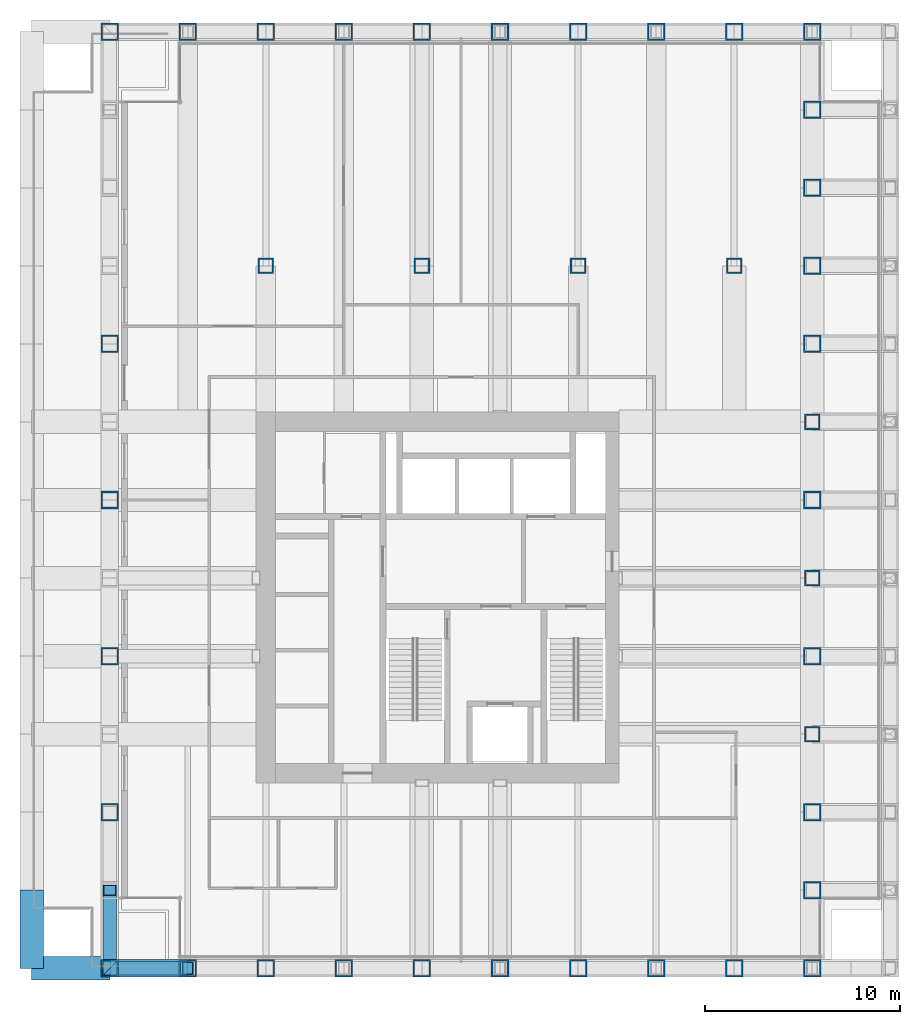
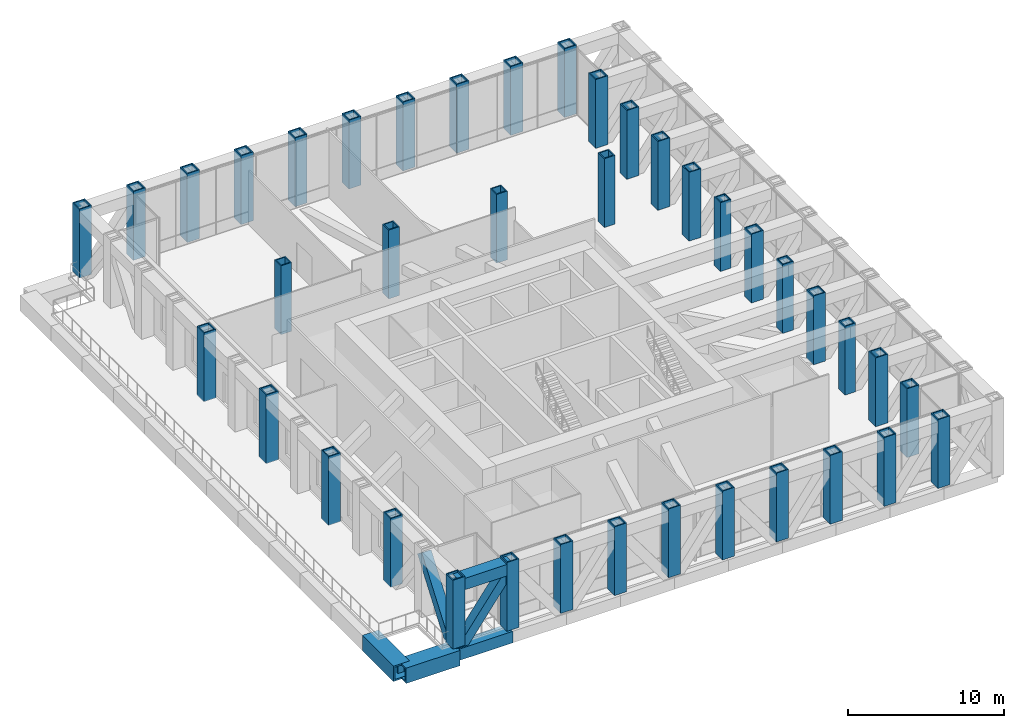
# One storey, part 1 of 12: 39 columns, 4 beams, 2 members.
"""IFC4 building model written with IfcOpenShell, lengths in metres."""

import ifcopenshell
import ifcopenshell.guid

model = None  # the IFC model being written
_history = None  # IfcOwnerHistory: only IFC2X3 demands one
_inside = {}  # id of a spatial element -> (the spatial element, [elements in it])
_under = {}  # id of a project, library or spatial element -> (it, [spatial elements below it])
_declared = {}  # id of a project -> (the project, [libraries it declares])
_typed = {}  # id of a type object -> (the type object, [elements of that type])
_made_of = {}  # id of a material, layer set ... -> (it, [elements and type objects made of it])


def new_model(schema):
    """Start an empty IFC model of exactly this schema.

    Asked for "IFC4X3", IfcOpenShell would pick the latest addendum, in which some entities
    have other attributes; the version numbers below select the first issue.
    IFC2X3 requires an IfcOwnerHistory on every rooted entity: one is made here for all.
    """
    global model, _history
    if schema == "IFC4X3":
        model = ifcopenshell.file(schema_version=(4, 3, 0, 0))
    else:
        model = ifcopenshell.file(schema=schema)
    _inside.clear()
    _under.clear()
    _declared.clear()
    _typed.clear()
    _made_of.clear()
    _history = None
    if model.schema == "IFC2X3":
        org = make("IfcOrganization", Name="unknown")
        user = make(
            "IfcPersonAndOrganization",
            ThePerson=make("IfcPerson", FamilyName="unknown"),
            TheOrganization=org,
        )
        app = make(
            "IfcApplication",
            ApplicationDeveloper=org,
            Version="unknown",
            ApplicationFullName="unknown",
            ApplicationIdentifier="unknown",
        )
        _history = make(
            "IfcOwnerHistory",
            OwningUser=user,
            OwningApplication=app,
            ChangeAction="ADDED",
            CreationDate=0,
        )
    return model


def make(cls, **values):
    """One entity of the class cls with the attributes given. An attribute that is None is left unset."""
    return model.create_entity(
        cls, **{name: value for name, value in values.items() if value is not None}
    )


def rooted(cls, **values):
    """An entity with a GlobalId (a new one), such as an element, a storey or a relation."""
    return make(cls, GlobalId=ifcopenshell.guid.new(), OwnerHistory=_history, **values)


def si_unit(unit_type, name, prefix=None):
    """IfcSIUnit, for example si_unit("LENGTHUNIT", "METRE", prefix="MILLI")."""
    return make("IfcSIUnit", UnitType=unit_type, Prefix=prefix, Name=name)


def assignment(units):
    """IfcUnitAssignment: the units of a project."""
    return None if units is None else make("IfcUnitAssignment", Units=units)


def point(xyz):
    """IfcCartesianPoint."""
    return None if xyz is None else make("IfcCartesianPoint", Coordinates=xyz)


def direction(xyz):
    """IfcDirection."""
    return None if xyz is None else make("IfcDirection", DirectionRatios=xyz)


def frame(location, z_axis=None, x_axis=None):
    """IfcAxis2Placement3D, a coordinate frame: its origin and axes. An axis left out is left unset."""
    return make(
        "IfcAxis2Placement3D",
        Location=point(location),
        Axis=direction(z_axis),
        RefDirection=direction(x_axis),
    )


def frame_2d(location, x_axis=None):
    """IfcAxis2Placement2D, a coordinate frame in the plane: its origin and x axis."""
    return make(
        "IfcAxis2Placement2D", Location=point(location), RefDirection=direction(x_axis)
    )


def origin():
    """The frame at (0, 0, 0) with its axes left unset."""
    return frame((0.0, 0.0, 0.0))


def origin_2d():
    """The frame at (0, 0) in the plane with its x axis left unset."""
    return frame_2d((0.0, 0.0))


def place(relative_to, where):
    """IfcLocalPlacement: puts the frame where relative to a parent placement (None: the world)."""
    return make(
        "IfcLocalPlacement", PlacementRelTo=relative_to, RelativePlacement=where
    )


def context(
    kind, dimensions, precision=None, world=None, true_north=None, identifier=None
):
    """IfcGeometricRepresentationContext, for example the 3D "Model" context."""
    return make(
        "IfcGeometricRepresentationContext",
        ContextIdentifier=identifier,
        ContextType=kind,
        CoordinateSpaceDimension=dimensions,
        Precision=precision,
        WorldCoordinateSystem=world,
        TrueNorth=true_north,
    )


def subcontext(parent, identifier, kind, view, scale=None):
    """IfcGeometricRepresentationSubContext, for example "Body" below "Model"."""
    return make(
        "IfcGeometricRepresentationSubContext",
        ContextIdentifier=identifier,
        ContextType=kind,
        ParentContext=parent,
        TargetScale=scale,
        TargetView=view,
    )


def project(units=None, contexts=None):
    """IfcProject with its units and contexts."""
    return rooted(
        "IfcProject",
        Name="project",
        RepresentationContexts=contexts,
        UnitsInContext=assignment(units),
    )


def spatial(cls, under=None, at=None, **own):
    """A site, building, storey or space (cls), placed at a placement, below another one or the project."""
    s = rooted(cls, ObjectPlacement=at, **own)
    if under is not None:
        _under.setdefault(under.id(), (under, []))[1].append(s)
    return s


def profile(cls, at=None, kind="AREA", **sizes):
    """A parametric profile (cls). Its sizes go by their IFC names, for example OverallWidth=200.0."""
    return make(cls, ProfileType=kind, Position=at, **sizes)


def hollow_rectangle(**sizes):
    """IfcRectangleHollowProfileDef."""
    return profile("IfcRectangleHollowProfileDef", **sizes)


def extrude(swept, where, along, depth):
    """IfcExtrudedAreaSolid: the profile swept, set in the frame where, extruded along a direction by depth."""
    return make(
        "IfcExtrudedAreaSolid",
        SweptArea=swept,
        Position=where,
        ExtrudedDirection=direction(along),
        Depth=depth,
    )


def shape(context_of_items, identifier, shape_type, items):
    """IfcShapeRepresentation: the items that make up one representation, for example the "Body"."""
    return make(
        "IfcShapeRepresentation",
        ContextOfItems=context_of_items,
        RepresentationIdentifier=identifier,
        RepresentationType=shape_type,
        Items=items,
    )


def material(Name=None, Category=None):
    """IfcMaterial."""
    return make("IfcMaterial", Name=Name, Category=Category)


def material_profile(
    of_material, cross_section, Name=None, Category=None, Priority=None
):
    """IfcMaterialProfile: a cross section and its material."""
    return make(
        "IfcMaterialProfile",
        Name=Name,
        Material=of_material,
        Profile=cross_section,
        Priority=Priority,
        Category=Category,
    )


def profile_set(profiles, Name=None, composite=None):
    """IfcMaterialProfileSet."""
    return make(
        "IfcMaterialProfileSet",
        Name=Name,
        MaterialProfiles=profiles,
        CompositeProfile=composite,
    )


def made_of(thing, what):
    """Note that an element or type object is made of a material, layer set ...; save() writes the relation."""
    if what is not None:
        _made_of.setdefault(what.id(), (what, []))[1].append(thing)
    return thing


def type_object(cls, material=None, **own):
    """A type object (cls), such as IfcWallType, which elements share."""
    return made_of(rooted(cls, **own), material)


def element(
    cls,
    number,
    at=None,
    inside=None,
    cuts=None,
    type_object=None,
    material=None,
    context=None,
    identifier="Body",
    shape_type=None,
    held_by="IfcProductDefinitionShape",
    body=None,
    shapes=None,
    **own,
):
    """One element of the class cls, such as IfcWall. Its Tag is "e" and its number.

    at: its placement. inside: the storey or other place that contains it. cuts: it is an
    opening in that element (IfcRelVoidsElement). A single representation is given by context,
    identifier, shape_type and body (its items); several are given by shapes. held_by: the class
    of the entity that holds the representations. save() writes the other relations.
    """
    e = rooted(cls, Tag="e%d" % number, ObjectPlacement=at, **own)
    if body is not None:
        shapes = [shape(context, identifier, shape_type, body)]
    if shapes is not None:
        e.Representation = make(held_by, Representations=shapes)
    if inside is not None:
        _inside.setdefault(inside.id(), (inside, []))[1].append(e)
    if cuts is not None:
        rooted(
            "IfcRelVoidsElement", RelatingBuildingElement=cuts, RelatedOpeningElement=e
        )
    if type_object is not None:
        _typed.setdefault(type_object.id(), (type_object, []))[1].append(e)
    return made_of(e, material)


def aggregate(whole, parts):
    """IfcRelAggregates: a whole, such as a stair, and the parts it consists of."""
    return rooted("IfcRelAggregates", RelatingObject=whole, RelatedObjects=parts)


def save(model, path):
    """Write the relations noted so far, then the file.

    IfcRelAggregates (storeys below a building ...), IfcRelContainedInSpatialStructure (elements
    in a storey), IfcRelDefinesByType, IfcRelAssociatesMaterial and IfcRelDeclares: one each for
    every whole, place, type object, material and project.
    """
    for whole, parts in _under.values():
        aggregate(whole, parts)
    for where, things in _inside.values():
        rooted(
            "IfcRelContainedInSpatialStructure",
            RelatedElements=things,
            RelatingStructure=where,
        )
    for kind, things in _typed.values():
        rooted("IfcRelDefinesByType", RelatedObjects=things, RelatingType=kind)
    for what, things in _made_of.values():
        rooted("IfcRelAssociatesMaterial", RelatedObjects=things, RelatingMaterial=what)
    for by, libraries in _declared.values():
        rooted("IfcRelDeclares", RelatingContext=by, RelatedDefinitions=libraries)
    model.write(path)


model = new_model("IFC4")

# Units and contexts
model_context = context("Model", 3, precision=1e-05, world=origin(), true_north=direction((0.0, 1.0)))
body_context = subcontext(model_context, "Body", "Model", "MODEL_VIEW")
ifc_project = project(units=[si_unit("LENGTHUNIT", "METRE"), si_unit("AREAUNIT", "SQUARE_METRE"), si_unit("VOLUMEUNIT", "CUBIC_METRE"), si_unit("PLANEANGLEUNIT", "RADIAN"), si_unit("MASSUNIT", "GRAM", prefix="KILO")], contexts=[model_context])

# Site, building, storey
site_placement = place(None, origin())
site = spatial("IfcSite", under=ifc_project, at=site_placement, CompositionType="ELEMENT")
building_placement = place(site_placement, origin())
building = spatial("IfcBuilding", under=site, at=building_placement, Name="Rimbunsela Tower", CompositionType="ELEMENT")
storey_placement = place(building_placement, frame((0.0, 0.0, 203.800048828125)))
storey = spatial("IfcBuildingStorey", under=building, at=storey_placement, Name="L49", CompositionType="ELEMENT", Elevation=203.800048828125)

# Columns
ifc_material_1 = material(Name="Steel BJ 55 (fy 410 MPa)", Category="steel")
ifc_material_profile_1 = material_profile(ifc_material_1, hollow_rectangle(XDim=0.800048828125, YDim=0.800048828125, WallThickness=0.080078125, at=origin_2d()), Name="BOX 800x800x80")
ifc_profile_set_1 = profile_set([ifc_material_profile_1], Name="Steel BJ 55 (fy 410 MPa)")
column_type_1 = type_object("IfcColumnType", Name="Column BOX 800x800x80", PredefinedType="COLUMN", material=ifc_profile_set_1)
for number, where, z_axis, x_axis, name in (
    (1, (18.0, 44.0, 0.0), (0.0, 0.0, 1.0), (1.0, 0.0, 0.0), "Column C2 7/N L49"),
    (2, (26.0, 44.0, 0.0), (0.0, 0.0, 1.0), (1.0, 0.0, 0.0), "Column C2 9/N L49"),
    (3, (34.0, 44.0, 0.0), (0.0, 0.0, 1.0), (1.0, 0.0, 0.0), "Column C2 11/N L49"),
    (4, (42.0, 44.0, 0.0), (0.0, 0.0, 1.0), (1.0, 0.0, 0.0), "Column C2 13/N L49"),
    (5, (46.0, 20.0, 0.0), (0.0, 0.0, 1.0), (1.0, 0.0, 0.0), "Column C2 14/G L49"),
    (6, (46.0, 28.0, 0.0), (0.0, 0.0, 1.0), (1.0, 0.0, 0.0), "Column C2 14/J L49"),
    (7, (46.0, 36.0, 0.0), (0.0, 0.0, 1.0), (1.0, 0.0, 0.0), "Column C2 14/L L49"),
):
    element("IfcColumn", number, at=place(storey_placement, frame(where, z_axis=z_axis, x_axis=x_axis)), inside=storey, type_object=column_type_1, Name=name, PredefinedType="COLUMN", context=body_context, shape_type="SweptSolid", body=[
        extrude(hollow_rectangle(XDim=0.800048828125, YDim=0.800048828125, WallThickness=0.080078125, at=origin_2d()), origin(), (0.0, 0.0, 1.0), 5.39990234375),
    ])
ifc_material_2 = material(Name="Steel BJ 55 (fy 410 MPa)", Category="steel")
ifc_material_profile_2 = material_profile(ifc_material_2, hollow_rectangle(XDim=0.89990234375, YDim=0.89990234375, WallThickness=0.080078125, at=origin_2d()), Name="BOX 900x900x80")
ifc_profile_set_2 = profile_set([ifc_material_profile_2], Name="Steel BJ 55 (fy 410 MPa)")
column_type_2 = type_object("IfcColumnType", Name="Truss column BOX 900x900x80", PredefinedType="USERDEFINED", material=ifc_profile_set_2)
for number, where, z_axis, x_axis, name in (
    (8, (10.0, 8.0, 0.0), (0.0, 0.0, 1.0), (1.0, 0.0, 0.0), "Truss column TV3 5/D L49"),
    (9, (10.0, 16.0, 0.0), (0.0, 0.0, 1.0), (1.0, 0.0, 0.0), "Truss column TV3 5/F L49"),
    (10, (10.0, 24.0, 0.0), (0.0, 0.0, 1.0), (1.0, 0.0, 0.0), "Truss column TV3 5/H L49"),
    (11, (10.0, 32.0, 0.0), (0.0, 0.0, 1.0), (1.0, 0.0, 0.0), "Truss column TV3 5/K L49"),
    (12, (10.0, 40.0, 0.0), (0.0, 0.0, 1.0), (1.0, 0.0, 0.0), "Truss column TV3 5/M L49"),
    (13, (10.0, 56.0, 0.0), (0.0, 0.0, 1.0), (1.0, 0.0, 0.0), "Truss column TV3 5/R L49"),
    (14, (14.0, 8.0, 0.0), (0.0, 0.0, 1.0), (1.0, 0.0, 0.0), "Truss column TV3 6/D L49"),
    (15, (14.0, 56.0, 0.0), (0.0, 0.0, 1.0), (1.0, 0.0, 0.0), "Truss column TV3 6/R L49"),
    (16, (18.0, 8.0, 0.0), (0.0, 0.0, 1.0), (1.0, 0.0, 0.0), "Truss column TV3 7/D L49"),
    (17, (18.0, 56.0, 0.0), (0.0, 0.0, 1.0), (1.0, 0.0, 0.0), "Truss column TV3 7/R L49"),
    (18, (22.0, 8.0, 0.0), (0.0, 0.0, 1.0), (1.0, 0.0, 0.0), "Truss column TV3 8/D L49"),
    (19, (22.0, 56.0, 0.0), (0.0, 0.0, 1.0), (1.0, 0.0, 0.0), "Truss column TV3 8/R L49"),
    (20, (26.0, 8.0, 0.0), (0.0, 0.0, 1.0), (1.0, 0.0, 0.0), "Truss column TV3 9/D L49"),
    (21, (26.0, 56.0, 0.0), (0.0, 0.0, 1.0), (1.0, 0.0, 0.0), "Truss column TV3 9/R L49"),
    (22, (30.0, 8.0, 0.0), (0.0, 0.0, 1.0), (1.0, 0.0, 0.0), "Truss column TV3 10/D L49"),
    (23, (30.0, 56.0, 0.0), (0.0, 0.0, 1.0), (1.0, 0.0, 0.0), "Truss column TV3 10/R L49"),
    (24, (34.0, 8.0, 0.0), (0.0, 0.0, 1.0), (1.0, 0.0, 0.0), "Truss column TV3 11/D L49"),
    (25, (34.0, 56.0, 0.0), (0.0, 0.0, 1.0), (1.0, 0.0, 0.0), "Truss column TV3 11/R L49"),
    (26, (38.0, 8.0, 0.0), (0.0, 0.0, 1.0), (1.0, 0.0, 0.0), "Truss column TV3 12/D L49"),
    (27, (38.0, 56.0, 0.0), (0.0, 0.0, 1.0), (1.0, 0.0, 0.0), "Truss column TV3 12/R L49"),
    (28, (42.0, 8.0, 0.0), (0.0, 0.0, 1.0), (1.0, 0.0, 0.0), "Truss column TV3 13/D L49"),
    (29, (42.0, 56.0, 0.0), (0.0, 0.0, 1.0), (1.0, 0.0, 0.0), "Truss column TV3 13/R L49"),
    (30, (46.0, 8.0, 0.0), (0.0, 0.0, 1.0), (1.0, 0.0, 0.0), "Truss column TV3 14/D L49"),
    (31, (46.0, 56.0, 0.0), (0.0, 0.0, 1.0), (1.0, 0.0, 0.0), "Truss column TV3 14/R L49"),
    (32, (46.0, 12.0, 0.0), (0.0, 0.0, 1.0), (1.0, 0.0, 0.0), "Truss column TV3 14/E L49"),
    (33, (46.0, 16.0, 0.0), (0.0, 0.0, 1.0), (1.0, 0.0, 0.0), "Truss column TV3 14/F L49"),
    (34, (46.0, 24.0, 0.0), (0.0, 0.0, 1.0), (1.0, 0.0, 0.0), "Truss column TV3 14/H L49"),
    (35, (46.0, 32.0, 0.0), (0.0, 0.0, 1.0), (1.0, 0.0, 0.0), "Truss column TV3 14/K L49"),
    (36, (46.0, 40.0, 0.0), (0.0, 0.0, 1.0), (1.0, 0.0, 0.0), "Truss column TV3 14/M L49"),
    (37, (46.0, 44.0, 0.0), (0.0, 0.0, 1.0), (1.0, 0.0, 0.0), "Truss column TV3 14/N L49"),
    (38, (46.0, 48.0, 0.0), (0.0, 0.0, 1.0), (1.0, 0.0, 0.0), "Truss column TV3 14/P L49"),
    (39, (46.0, 52.0, 0.0), (0.0, 0.0, 1.0), (1.0, 0.0, 0.0), "Truss column TV3 14/Q L49"),
):
    element("IfcColumn", number, at=place(storey_placement, frame(where, z_axis=z_axis, x_axis=x_axis)), inside=storey, type_object=column_type_2, Name=name, ObjectType="TRUSS POST", PredefinedType="USERDEFINED", context=body_context, shape_type="SweptSolid", body=[
        extrude(hollow_rectangle(XDim=0.89990234375, YDim=0.89990234375, WallThickness=0.080078125, at=origin_2d()), origin(), (0.0, 0.0, 1.0), 5.39990234375),
    ])

# Beams
ifc_material_3 = material(Name="Steel BJ 55 (fy 410 MPa)", Category="steel")
ifc_material_profile_3 = material_profile(ifc_material_3, hollow_rectangle(XDim=1.199951171875, YDim=1.199951171875, WallThickness=0.125, at=origin_2d()), Name="BOX 1200x1200x125")
ifc_profile_set_3 = profile_set([ifc_material_profile_3], Name="Steel BJ 55 (fy 410 MPa)")
beam_type_1 = type_object("IfcBeamType", Name="Beam BOX 1200x1200x125", PredefinedType="BEAM", material=ifc_profile_set_3)
for number, where, z_axis, x_axis, name in (
    (40, (6.0, 8.0, -0.75), (0.0, 1.0, 0.0), (-1.0, 0.0, 0.0), "Beam B4 L49"),
    (41, (6.0, 8.0, -0.75), (1.0, 0.0, 0.0), (0.0, 1.0, 0.0), "Beam B4 L49"),
):
    element("IfcBeam", number, at=place(storey_placement, frame(where, z_axis=z_axis, x_axis=x_axis)), inside=storey, type_object=beam_type_1, Name=name, PredefinedType="BEAM", context=body_context, shape_type="SweptSolid", body=[
        extrude(hollow_rectangle(XDim=1.199951171875, YDim=1.199951171875, WallThickness=0.125, at=origin_2d()), origin(), (0.0, 0.0, 1.0), 4.0),
    ])
ifc_material_4 = material(Name="Steel BJ 55 (fy 410 MPa)", Category="steel")
ifc_material_profile_4 = material_profile(ifc_material_4, hollow_rectangle(XDim=0.89990234375, YDim=0.89990234375, WallThickness=0.06005859375, at=origin_2d()), Name="BOX 900x900x60")
ifc_profile_set_4 = profile_set([ifc_material_profile_4], Name="Steel BJ 55 (fy 410 MPa)")
beam_type_2 = type_object("IfcBeamType", Name="Truss chord BOX 900x900x60", PredefinedType="USERDEFINED", material=ifc_profile_set_4)
for number, where, z_axis, x_axis, name in (
    (42, (10.0, 8.0, 4.800048828125), (1.0, 0.0, 0.0), (0.0, 1.0, 0.0), "Truss top chord TC4 S face L49"),
    (43, (10.0, 8.0, -0.60009765625), (1.0, 0.0, 0.0), (0.0, 1.0, 0.0), "Truss bottom chord TC4 S face L49"),
):
    element("IfcBeam", number, at=place(storey_placement, frame(where, z_axis=z_axis, x_axis=x_axis)), inside=storey, type_object=beam_type_2, Name=name, ObjectType="TRUSS CHORD", PredefinedType="USERDEFINED", context=body_context, shape_type="SweptSolid", body=[
        extrude(hollow_rectangle(XDim=0.89990234375, YDim=0.89990234375, WallThickness=0.06005859375, at=origin_2d()), origin(), (0.0, 0.0, 1.0), 4.0),
    ])

# Members
ifc_material_5 = material(Name="Steel BJ 55 (fy 410 MPa)", Category="steel")
ifc_material_profile_5 = material_profile(ifc_material_5, hollow_rectangle(XDim=0.699951171875, YDim=0.699951171875, WallThickness=0.050048828125, at=origin_2d()), Name="BOX 700x700x50")
ifc_profile_set_5 = profile_set([ifc_material_profile_5], Name="Steel BJ 55 (fy 410 MPa)")
member_type = type_object("IfcMemberType", Name="Truss diagonal BOX 700x700x50", PredefinedType="BRACE", material=ifc_profile_set_5)
for number, where, z_axis, x_axis, name in (
    (44, (10.0, 8.0, -0.60009765625), (0.595217124844, 0.0, 0.803564916041), (0.0, 1.0, 0.0), "Truss diagonal TD4 S face L49"),
    (45, (10.0, 8.0, -0.60009765625), (0.0, 0.595217124844, 0.803564916041), (-1.0, 0.0, 0.0), "Truss diagonal TD4 W face L49"),
):
    element("IfcMember", number, at=place(storey_placement, frame(where, z_axis=z_axis, x_axis=x_axis)), inside=storey, type_object=member_type, Name=name, PredefinedType="BRACE", context=body_context, shape_type="SweptSolid", body=[
        extrude(hollow_rectangle(XDim=0.699951171875, YDim=0.699951171875, WallThickness=0.050048828125, at=origin_2d()), origin(), (0.0, 0.0, 1.0), 6.72021484375),
    ])

save(model, "model.ifc")
